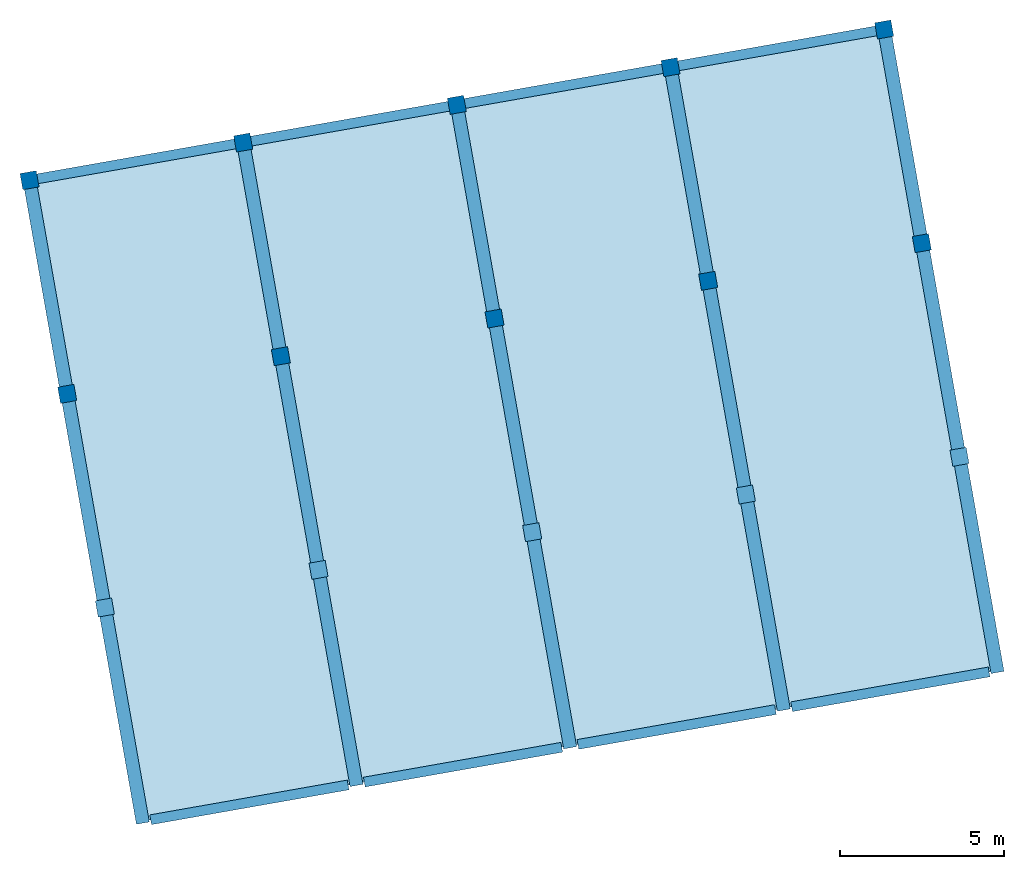
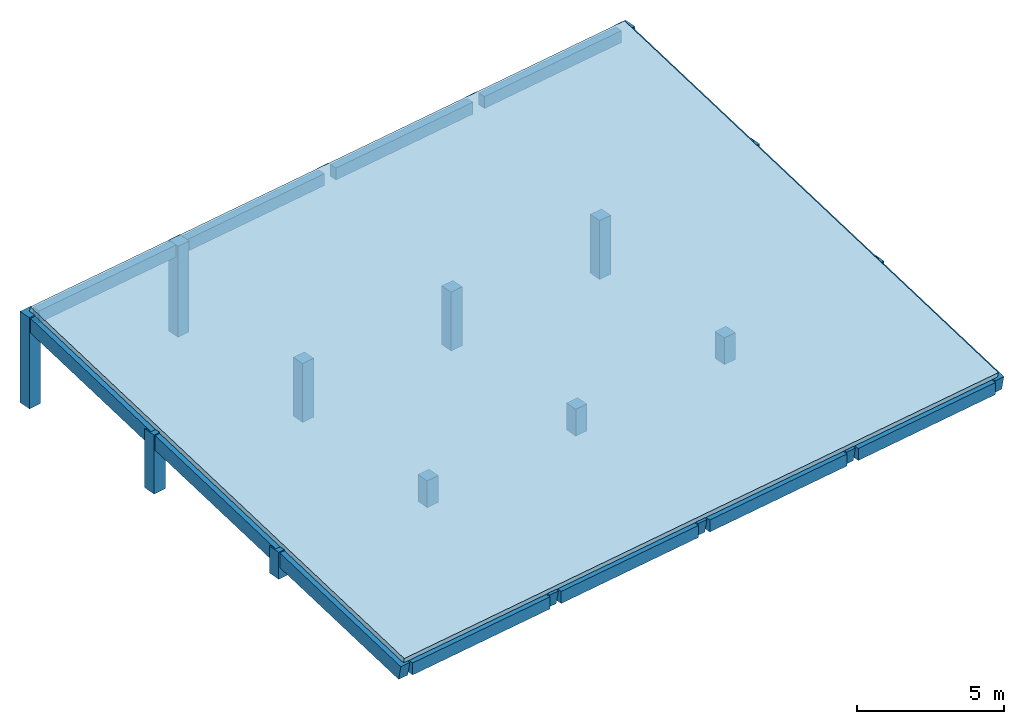
# One storey: 15 columns, 13 beams, 1 slab.
"""IFC4 building model written with IfcOpenShell, lengths in metres."""

import ifcopenshell
import ifcopenshell.guid

model = None  # the IFC model being written
_history = None  # IfcOwnerHistory: only IFC2X3 demands one
_inside = {}  # id of a spatial element -> (the spatial element, [elements in it])
_under = {}  # id of a project, library or spatial element -> (it, [spatial elements below it])
_declared = {}  # id of a project -> (the project, [libraries it declares])
_typed = {}  # id of a type object -> (the type object, [elements of that type])
_made_of = {}  # id of a material, layer set ... -> (it, [elements and type objects made of it])


def new_model(schema):
    """Start an empty IFC model of exactly this schema.

    Asked for "IFC4X3", IfcOpenShell would pick the latest addendum, in which some entities
    have other attributes; the version numbers below select the first issue.
    IFC2X3 requires an IfcOwnerHistory on every rooted entity: one is made here for all.
    """
    global model, _history
    if schema == "IFC4X3":
        model = ifcopenshell.file(schema_version=(4, 3, 0, 0))
    else:
        model = ifcopenshell.file(schema=schema)
    _inside.clear()
    _under.clear()
    _declared.clear()
    _typed.clear()
    _made_of.clear()
    _history = None
    if model.schema == "IFC2X3":
        org = make("IfcOrganization", Name="unknown")
        user = make(
            "IfcPersonAndOrganization",
            ThePerson=make("IfcPerson", FamilyName="unknown"),
            TheOrganization=org,
        )
        app = make(
            "IfcApplication",
            ApplicationDeveloper=org,
            Version="unknown",
            ApplicationFullName="unknown",
            ApplicationIdentifier="unknown",
        )
        _history = make(
            "IfcOwnerHistory",
            OwningUser=user,
            OwningApplication=app,
            ChangeAction="ADDED",
            CreationDate=0,
        )
    return model


def make(cls, **values):
    """One entity of the class cls with the attributes given. An attribute that is None is left unset."""
    return model.create_entity(
        cls, **{name: value for name, value in values.items() if value is not None}
    )


def rooted(cls, **values):
    """An entity with a GlobalId (a new one), such as an element, a storey or a relation."""
    return make(cls, GlobalId=ifcopenshell.guid.new(), OwnerHistory=_history, **values)


def si_unit(unit_type, name, prefix=None):
    """IfcSIUnit, for example si_unit("LENGTHUNIT", "METRE", prefix="MILLI")."""
    return make("IfcSIUnit", UnitType=unit_type, Prefix=prefix, Name=name)


def assignment(units):
    """IfcUnitAssignment: the units of a project."""
    return None if units is None else make("IfcUnitAssignment", Units=units)


def point(xyz):
    """IfcCartesianPoint."""
    return None if xyz is None else make("IfcCartesianPoint", Coordinates=xyz)


def direction(xyz):
    """IfcDirection."""
    return None if xyz is None else make("IfcDirection", DirectionRatios=xyz)


def frame(location, z_axis=None, x_axis=None):
    """IfcAxis2Placement3D, a coordinate frame: its origin and axes. An axis left out is left unset."""
    return make(
        "IfcAxis2Placement3D",
        Location=point(location),
        Axis=direction(z_axis),
        RefDirection=direction(x_axis),
    )


def frame_2d(location, x_axis=None):
    """IfcAxis2Placement2D, a coordinate frame in the plane: its origin and x axis."""
    return make(
        "IfcAxis2Placement2D", Location=point(location), RefDirection=direction(x_axis)
    )


def origin():
    """The frame at (0, 0, 0) with its axes left unset."""
    return frame((0.0, 0.0, 0.0))


def origin_2d():
    """The frame at (0, 0) in the plane with its x axis left unset."""
    return frame_2d((0.0, 0.0))


def place(relative_to, where):
    """IfcLocalPlacement: puts the frame where relative to a parent placement (None: the world)."""
    return make(
        "IfcLocalPlacement", PlacementRelTo=relative_to, RelativePlacement=where
    )


def context(
    kind, dimensions, precision=None, world=None, true_north=None, identifier=None
):
    """IfcGeometricRepresentationContext, for example the 3D "Model" context."""
    return make(
        "IfcGeometricRepresentationContext",
        ContextIdentifier=identifier,
        ContextType=kind,
        CoordinateSpaceDimension=dimensions,
        Precision=precision,
        WorldCoordinateSystem=world,
        TrueNorth=true_north,
    )


def subcontext(parent, identifier, kind, view, scale=None):
    """IfcGeometricRepresentationSubContext, for example "Body" below "Model"."""
    return make(
        "IfcGeometricRepresentationSubContext",
        ContextIdentifier=identifier,
        ContextType=kind,
        ParentContext=parent,
        TargetScale=scale,
        TargetView=view,
    )


def project(units=None, contexts=None):
    """IfcProject with its units and contexts."""
    return rooted(
        "IfcProject",
        Name="project",
        RepresentationContexts=contexts,
        UnitsInContext=assignment(units),
    )


def spatial(cls, under=None, at=None, **own):
    """A site, building, storey or space (cls), placed at a placement, below another one or the project."""
    s = rooted(cls, ObjectPlacement=at, **own)
    if under is not None:
        _under.setdefault(under.id(), (under, []))[1].append(s)
    return s


def polyline(points):
    """IfcPolyline through the points."""
    return make("IfcPolyline", Points=[point(p) for p in points])


def profile(cls, at=None, kind="AREA", **sizes):
    """A parametric profile (cls). Its sizes go by their IFC names, for example OverallWidth=200.0."""
    return make(cls, ProfileType=kind, Position=at, **sizes)


def rectangle(**sizes):
    """IfcRectangleProfileDef."""
    return profile("IfcRectangleProfileDef", **sizes)


def outline(outer, holes=None, kind="AREA"):
    """IfcArbitraryClosedProfileDef: a profile drawn as a closed curve; with holes, ...WithVoids."""
    if holes is None:
        return make("IfcArbitraryClosedProfileDef", ProfileType=kind, OuterCurve=outer)
    return make(
        "IfcArbitraryProfileDefWithVoids",
        ProfileType=kind,
        OuterCurve=outer,
        InnerCurves=holes,
    )


def extrude(swept, where, along, depth):
    """IfcExtrudedAreaSolid: the profile swept, set in the frame where, extruded along a direction by depth."""
    return make(
        "IfcExtrudedAreaSolid",
        SweptArea=swept,
        Position=where,
        ExtrudedDirection=direction(along),
        Depth=depth,
    )


def shape(context_of_items, identifier, shape_type, items):
    """IfcShapeRepresentation: the items that make up one representation, for example the "Body"."""
    return make(
        "IfcShapeRepresentation",
        ContextOfItems=context_of_items,
        RepresentationIdentifier=identifier,
        RepresentationType=shape_type,
        Items=items,
    )


def material(Name=None, Category=None):
    """IfcMaterial."""
    return make("IfcMaterial", Name=Name, Category=Category)


def layer(
    of_material, thickness, ventilated=None, Name=None, Category=None, Priority=None
):
    """IfcMaterialLayer: one layer of a wall or slab, of a material (None: an air gap)."""
    return make(
        "IfcMaterialLayer",
        Material=of_material,
        LayerThickness=thickness,
        IsVentilated=ventilated,
        Name=Name,
        Category=Category,
        Priority=Priority,
    )


def layer_set(layers, Name=None):
    """IfcMaterialLayerSet."""
    return make("IfcMaterialLayerSet", MaterialLayers=layers, LayerSetName=Name)


def material_profile(
    of_material, cross_section, Name=None, Category=None, Priority=None
):
    """IfcMaterialProfile: a cross section and its material."""
    return make(
        "IfcMaterialProfile",
        Name=Name,
        Material=of_material,
        Profile=cross_section,
        Priority=Priority,
        Category=Category,
    )


def profile_set(profiles, Name=None, composite=None):
    """IfcMaterialProfileSet."""
    return make(
        "IfcMaterialProfileSet",
        Name=Name,
        MaterialProfiles=profiles,
        CompositeProfile=composite,
    )


def made_of(thing, what):
    """Note that an element or type object is made of a material, layer set ...; save() writes the relation."""
    if what is not None:
        _made_of.setdefault(what.id(), (what, []))[1].append(thing)
    return thing


def type_object(cls, material=None, **own):
    """A type object (cls), such as IfcWallType, which elements share."""
    return made_of(rooted(cls, **own), material)


def element(
    cls,
    number,
    at=None,
    inside=None,
    cuts=None,
    type_object=None,
    material=None,
    context=None,
    identifier="Body",
    shape_type=None,
    held_by="IfcProductDefinitionShape",
    body=None,
    shapes=None,
    **own,
):
    """One element of the class cls, such as IfcWall. Its Tag is "e" and its number.

    at: its placement. inside: the storey or other place that contains it. cuts: it is an
    opening in that element (IfcRelVoidsElement). A single representation is given by context,
    identifier, shape_type and body (its items); several are given by shapes. held_by: the class
    of the entity that holds the representations. save() writes the other relations.
    """
    e = rooted(cls, Tag="e%d" % number, ObjectPlacement=at, **own)
    if body is not None:
        shapes = [shape(context, identifier, shape_type, body)]
    if shapes is not None:
        e.Representation = make(held_by, Representations=shapes)
    if inside is not None:
        _inside.setdefault(inside.id(), (inside, []))[1].append(e)
    if cuts is not None:
        rooted(
            "IfcRelVoidsElement", RelatingBuildingElement=cuts, RelatedOpeningElement=e
        )
    if type_object is not None:
        _typed.setdefault(type_object.id(), (type_object, []))[1].append(e)
    return made_of(e, material)


def aggregate(whole, parts):
    """IfcRelAggregates: a whole, such as a stair, and the parts it consists of."""
    return rooted("IfcRelAggregates", RelatingObject=whole, RelatedObjects=parts)


def save(model, path):
    """Write the relations noted so far, then the file.

    IfcRelAggregates (storeys below a building ...), IfcRelContainedInSpatialStructure (elements
    in a storey), IfcRelDefinesByType, IfcRelAssociatesMaterial and IfcRelDeclares: one each for
    every whole, place, type object, material and project.
    """
    for whole, parts in _under.values():
        aggregate(whole, parts)
    for where, things in _inside.values():
        rooted(
            "IfcRelContainedInSpatialStructure",
            RelatedElements=things,
            RelatingStructure=where,
        )
    for kind, things in _typed.values():
        rooted("IfcRelDefinesByType", RelatedObjects=things, RelatingType=kind)
    for what, things in _made_of.values():
        rooted("IfcRelAssociatesMaterial", RelatedObjects=things, RelatingMaterial=what)
    for by, libraries in _declared.values():
        rooted("IfcRelDeclares", RelatingContext=by, RelatedDefinitions=libraries)
    model.write(path)


model = new_model("IFC4")

# Units and contexts
model_context = context("Model", 3, precision=1e-05, world=origin(), true_north=direction((0.0, 1.0)))
body_context = subcontext(model_context, "Body", "Model", "MODEL_VIEW")
ifc_project = project(units=[si_unit("LENGTHUNIT", "METRE"), si_unit("AREAUNIT", "SQUARE_METRE"), si_unit("VOLUMEUNIT", "CUBIC_METRE"), si_unit("PLANEANGLEUNIT", "RADIAN"), si_unit("MASSUNIT", "GRAM", prefix="KILO")], contexts=[model_context])

# Site, building, storey
site_placement = place(None, origin())
site = spatial("IfcSite", under=ifc_project, at=site_placement, CompositionType="ELEMENT")
building_placement = place(site_placement, origin())
building = spatial("IfcBuilding", under=site, at=building_placement, Name="Kharisveld Research Institute", CompositionType="ELEMENT")
storey_placement = place(building_placement, frame((0.0, 0.0, 53.39990234375)))
storey = spatial("IfcBuildingStorey", under=building, at=storey_placement, Name="RF", CompositionType="ELEMENT", Elevation=53.39990234375)

# Columns
ifc_material_1 = material(Name="Concrete C40/50", Category="concrete")
ifc_material_profile_1 = material_profile(ifc_material_1, rectangle(XDim=0.5, YDim=0.5, at=origin_2d()))
ifc_profile_set_1 = profile_set([ifc_material_profile_1], Name="Concrete C40/50")
column_type = type_object("IfcColumnType", Name="COL_RC_500", PredefinedType="COLUMN", material=ifc_profile_set_1)
column_1_placement = place(storey_placement, frame((4.053955078125, 41.509765625, 0.0), z_axis=(0.0, 0.0, 1.0), x_axis=(0.984807753012, 0.173648177667, 0.0)))
element("IfcColumn", 1, at=column_1_placement, inside=storey, type_object=column_type, Name="COL:V1:RF:U0V1", PredefinedType="COLUMN", context=body_context, shape_type="SweptSolid", body=[
    extrude(rectangle(XDim=0.5, YDim=0.5, at=origin_2d()), origin(), (0.0, 0.0, 1.0), 1.118408203125),
])
column_2_placement = place(storey_placement, frame((2.907958984375, 48.009521484375, 0.0), z_axis=(0.0, 0.0, 1.0), x_axis=(0.984807753012, 0.173648177667, 0.0)))
element("IfcColumn", 2, at=column_2_placement, inside=storey, type_object=column_type, Name="COL:V1:RF:U0V2", PredefinedType="COLUMN", context=body_context, shape_type="SweptSolid", body=[
    extrude(rectangle(XDim=0.5, YDim=0.5, at=origin_2d()), origin(), (0.0, 0.0, 1.0), 2.45166015625),
])
column_3_placement = place(storey_placement, frame((1.76171875, 54.50927734375, 0.0), z_axis=(0.0, 0.0, 1.0), x_axis=(0.984807753012, 0.173648177667, 0.0)))
element("IfcColumn", 3, at=column_3_placement, inside=storey, type_object=column_type, Name="COL:V1:RF:U0V3", PredefinedType="COLUMN", context=body_context, shape_type="SweptSolid", body=[
    extrude(rectangle(XDim=0.5, YDim=0.5, at=origin_2d()), origin(), (0.0, 0.0, 1.0), 3.78515625),
])
column_4_placement = place(storey_placement, frame((10.5537109375, 42.65576171875, 0.0), z_axis=(0.0, 0.0, 1.0), x_axis=(0.984807753012, 0.173648177667, 0.0)))
element("IfcColumn", 4, at=column_4_placement, inside=storey, type_object=column_type, Name="COL:V1:RF:U1V1", PredefinedType="COLUMN", context=body_context, shape_type="SweptSolid", body=[
    extrude(rectangle(XDim=0.5, YDim=0.5, at=origin_2d()), origin(), (0.0, 0.0, 1.0), 1.118408203125),
])
column_5_placement = place(storey_placement, frame((9.407470703125, 49.155517578125, 0.0), z_axis=(0.0, 0.0, 1.0), x_axis=(0.984807753012, 0.173648177667, 0.0)))
element("IfcColumn", 5, at=column_5_placement, inside=storey, type_object=column_type, Name="COL:V1:RF:U1V2", PredefinedType="COLUMN", context=body_context, shape_type="SweptSolid", body=[
    extrude(rectangle(XDim=0.5, YDim=0.5, at=origin_2d()), origin(), (0.0, 0.0, 1.0), 2.45166015625),
])
column_6_placement = place(storey_placement, frame((8.261474609375, 55.6552734375, 0.0), z_axis=(0.0, 0.0, 1.0), x_axis=(0.984807753012, 0.173648177667, 0.0)))
element("IfcColumn", 6, at=column_6_placement, inside=storey, type_object=column_type, Name="COL:V1:RF:U1V3", PredefinedType="COLUMN", context=body_context, shape_type="SweptSolid", body=[
    extrude(rectangle(XDim=0.5, YDim=0.5, at=origin_2d()), origin(), (0.0, 0.0, 1.0), 3.78515625),
])
column_7_placement = place(storey_placement, frame((17.053466796875, 43.802001953125, 0.0), z_axis=(0.0, 0.0, 1.0), x_axis=(0.984807753012, 0.173648177667, 0.0)))
element("IfcColumn", 7, at=column_7_placement, inside=storey, type_object=column_type, Name="COL:V1:RF:U2V1", PredefinedType="COLUMN", context=body_context, shape_type="SweptSolid", body=[
    extrude(rectangle(XDim=0.5, YDim=0.5, at=origin_2d()), origin(), (0.0, 0.0, 1.0), 1.118408203125),
])
column_8_placement = place(storey_placement, frame((15.9072265625, 50.301513671875, 0.0), z_axis=(0.0, 0.0, 1.0), x_axis=(0.984807753012, 0.173648177667, 0.0)))
element("IfcColumn", 8, at=column_8_placement, inside=storey, type_object=column_type, Name="COL:V1:RF:U2V2", PredefinedType="COLUMN", context=body_context, shape_type="SweptSolid", body=[
    extrude(rectangle(XDim=0.5, YDim=0.5, at=origin_2d()), origin(), (0.0, 0.0, 1.0), 2.45166015625),
])
column_9_placement = place(storey_placement, frame((14.76123046875, 56.80126953125, 0.0), z_axis=(0.0, 0.0, 1.0), x_axis=(0.984807753012, 0.173648177667, 0.0)))
element("IfcColumn", 9, at=column_9_placement, inside=storey, type_object=column_type, Name="COL:V1:RF:U2V3", PredefinedType="COLUMN", context=body_context, shape_type="SweptSolid", body=[
    extrude(rectangle(XDim=0.5, YDim=0.5, at=origin_2d()), origin(), (0.0, 0.0, 1.0), 3.78515625),
])
column_10_placement = place(storey_placement, frame((23.55322265625, 44.947998046875, 0.0), z_axis=(0.0, 0.0, 1.0), x_axis=(0.984807753012, 0.173648177667, 0.0)))
element("IfcColumn", 10, at=column_10_placement, inside=storey, type_object=column_type, Name="COL:V1:RF:U3V1", PredefinedType="COLUMN", context=body_context, shape_type="SweptSolid", body=[
    extrude(rectangle(XDim=0.5, YDim=0.5, at=origin_2d()), origin(), (0.0, 0.0, 1.0), 1.118408203125),
])
column_11_placement = place(storey_placement, frame((22.406982421875, 51.44775390625, 0.0), z_axis=(0.0, 0.0, 1.0), x_axis=(0.984807753012, 0.173648177667, 0.0)))
element("IfcColumn", 11, at=column_11_placement, inside=storey, type_object=column_type, Name="COL:V1:RF:U3V2", PredefinedType="COLUMN", context=body_context, shape_type="SweptSolid", body=[
    extrude(rectangle(XDim=0.5, YDim=0.5, at=origin_2d()), origin(), (0.0, 0.0, 1.0), 2.45166015625),
])
column_12_placement = place(storey_placement, frame((21.260986328125, 57.947509765625, 0.0), z_axis=(0.0, 0.0, 1.0), x_axis=(0.984807753012, 0.173648177667, 0.0)))
element("IfcColumn", 12, at=column_12_placement, inside=storey, type_object=column_type, Name="COL:V1:RF:U3V3", PredefinedType="COLUMN", context=body_context, shape_type="SweptSolid", body=[
    extrude(rectangle(XDim=0.5, YDim=0.5, at=origin_2d()), origin(), (0.0, 0.0, 1.0), 3.78515625),
])
column_13_placement = place(storey_placement, frame((30.052734375, 46.093994140625, 0.0), z_axis=(0.0, 0.0, 1.0), x_axis=(0.984807753012, 0.173648177667, 0.0)))
element("IfcColumn", 13, at=column_13_placement, inside=storey, type_object=column_type, Name="COL:V1:RF:U4V1", PredefinedType="COLUMN", context=body_context, shape_type="SweptSolid", body=[
    extrude(rectangle(XDim=0.5, YDim=0.5, at=origin_2d()), origin(), (0.0, 0.0, 1.0), 1.118408203125),
])
column_14_placement = place(storey_placement, frame((28.90673828125, 52.59375, 0.0), z_axis=(0.0, 0.0, 1.0), x_axis=(0.984807753012, 0.173648177667, 0.0)))
element("IfcColumn", 14, at=column_14_placement, inside=storey, type_object=column_type, Name="COL:V1:RF:U4V2", PredefinedType="COLUMN", context=body_context, shape_type="SweptSolid", body=[
    extrude(rectangle(XDim=0.5, YDim=0.5, at=origin_2d()), origin(), (0.0, 0.0, 1.0), 2.45166015625),
])
column_15_placement = place(storey_placement, frame((27.7607421875, 59.093505859375, 0.0), z_axis=(0.0, 0.0, 1.0), x_axis=(0.984807753012, 0.173648177667, 0.0)))
element("IfcColumn", 15, at=column_15_placement, inside=storey, type_object=column_type, Name="COL:V1:RF:U4V3", PredefinedType="COLUMN", context=body_context, shape_type="SweptSolid", body=[
    extrude(rectangle(XDim=0.5, YDim=0.5, at=origin_2d()), origin(), (0.0, 0.0, 1.0), 3.78515625),
])

# Beams
ifc_material_2 = material(Name="Concrete C40/50", Category="concrete")
ifc_material_profile_2 = material_profile(ifc_material_2, rectangle(XDim=0.39990234375, YDim=0.60009765625, at=origin_2d()))
ifc_profile_set_2 = profile_set([ifc_material_profile_2], Name="Concrete C40/50")
beam_type_1 = type_object("IfcBeamType", Name="BM_RC_400x600", PredefinedType="BEAM", material=ifc_profile_set_2)
for number, where, z_axis, x_axis, name in (
    (16, (5.199951171875, 35.010009765625, -0.514892578125), (-0.170208925519, 0.965306871566, 0.198019103579), (-0.984807878732, -0.173647464676, 0.0), "BM:V1:RF:RAFTER_0"),
    (17, (11.69970703125, 36.156005859375, -0.514892578125), (-0.170208925519, 0.965306871566, 0.198019103579), (-0.984807878732, -0.173647464676, 0.0), "BM:V1:RF:RAFTER_1"),
    (18, (18.199462890625, 37.30224609375, -0.514892578125), (-0.170210911338, 0.965306047487, 0.198021413858), (-0.984807506924, -0.173649573296, 0.0), "BM:V1:RF:RAFTER_2"),
    (19, (24.69921875, 38.4482421875, -0.514892578125), (-0.170208925519, 0.965306871566, 0.198019103579), (-0.984807878732, -0.173647464676, 0.0), "BM:V1:RF:RAFTER_3"),
    (20, (31.198974609375, 39.59423828125, -0.514892578125), (-0.170208925519, 0.965306871566, 0.198019103579), (-0.984807878732, -0.173647464676, 0.0), "BM:V1:RF:RAFTER_4"),
):
    element("IfcBeam", number, at=place(storey_placement, frame(where, z_axis=z_axis, x_axis=x_axis)), inside=storey, type_object=beam_type_1, Name=name, PredefinedType="BEAM", context=body_context, shape_type="SweptSolid", body=[
        extrude(rectangle(XDim=0.39990234375, YDim=0.60009765625, at=origin_2d()), origin(), (0.0, 0.0, 1.0), 20.199951171875),
    ])
ifc_material_3 = material(Name="Concrete C40/50", Category="concrete")
ifc_material_profile_3 = material_profile(ifc_material_3, rectangle(XDim=0.300048828125, YDim=0.5, at=origin_2d()))
ifc_profile_set_3 = profile_set([ifc_material_profile_3], Name="Concrete C40/50")
beam_type_2 = type_object("IfcBeamType", Name="SP_RC_300x500", PredefinedType="SPANDREL", material=ifc_profile_set_3)
beam_1_placement = place(storey_placement, frame((5.4462890625, 35.053466796875, -0.46484375), z_axis=(0.984812555252, 0.173620940611, 0.0), x_axis=(-0.173620940611, 0.984812555252, 0.0)))
element("IfcBeam", 21, at=beam_1_placement, inside=storey, type_object=beam_type_2, Name="BM:V1:RF:EDGE_0_0", PredefinedType="SPANDREL", context=body_context, shape_type="SweptSolid", body=[
    extrude(rectangle(XDim=0.300048828125, YDim=0.5, at=origin_2d()), origin(), (0.0, 0.0, 1.0), 6.099853515625),
])
for number, where, z_axis, x_axis, name in (
    (22, (11.946044921875, 36.199462890625, -0.46484375), (0.984805711192, 0.173659757005, 0.0), (-0.173659757005, 0.984805711192, 0.0), "BM:V1:RF:EDGE_0_1"),
    (23, (18.445556640625, 37.345458984375, -0.46484375), (0.984805711192, 0.173659757005, 0.0), (-0.173659757005, 0.984805711192, 0.0), "BM:V1:RF:EDGE_0_2"),
):
    element("IfcBeam", number, at=place(storey_placement, frame(where, z_axis=z_axis, x_axis=x_axis)), inside=storey, type_object=beam_type_2, Name=name, PredefinedType="SPANDREL", context=body_context, shape_type="SweptSolid", body=[
        extrude(rectangle(XDim=0.300048828125, YDim=0.5, at=origin_2d()), origin(), (0.0, 0.0, 1.0), 6.10009765625),
    ])
beam_2_placement = place(storey_placement, frame((24.9453125, 38.49169921875, -0.46484375), z_axis=(0.984812555252, 0.173620940611, 0.0), x_axis=(-0.173620940611, 0.984812555252, 0.0)))
element("IfcBeam", 24, at=beam_2_placement, inside=storey, type_object=beam_type_2, Name="BM:V1:RF:EDGE_0_3", PredefinedType="SPANDREL", context=body_context, shape_type="SweptSolid", body=[
    extrude(rectangle(XDim=0.300048828125, YDim=0.5, at=origin_2d()), origin(), (0.0, 0.0, 1.0), 6.099853515625),
])
for number, where, z_axis, x_axis, name in (
    (25, (2.008056640625, 54.552490234375, 3.53515625), (0.984805711192, 0.173659757005, 0.0), (-0.173659757005, 0.984805711192, 0.0), "BM:V1:RF:EDGE_3_0"),
    (26, (8.5078125, 55.69873046875, 3.53515625), (0.984805711192, 0.173659757005, 0.0), (-0.173659757005, 0.984805711192, 0.0), "BM:V1:RF:EDGE_3_1"),
    (27, (15.00732421875, 56.8447265625, 3.53515625), (0.984805711192, 0.173659757005, 0.0), (-0.173659757005, 0.984805711192, 0.0), "BM:V1:RF:EDGE_3_2"),
    (28, (21.507080078125, 57.99072265625, 3.53515625), (0.984805711192, 0.173659757005, 0.0), (-0.173659757005, 0.984805711192, 0.0), "BM:V1:RF:EDGE_3_3"),
):
    element("IfcBeam", number, at=place(storey_placement, frame(where, z_axis=z_axis, x_axis=x_axis)), inside=storey, type_object=beam_type_2, Name=name, PredefinedType="SPANDREL", context=body_context, shape_type="SweptSolid", body=[
        extrude(rectangle(XDim=0.300048828125, YDim=0.5, at=origin_2d()), origin(), (0.0, 0.0, 1.0), 6.10009765625),
    ])

# Slab
ifc_material_4 = material(Name="Concrete C40/50", Category="concrete")
ifc_layer = layer(ifc_material_4, 0.215087890625)
ifc_layer_set = layer_set([ifc_layer], Name="SL_ROOF_215")
slab_type = type_object("IfcSlabType", Name="SL_ROOF_215", PredefinedType="ROOF", material=ifc_layer_set)
slab_placement = place(storey_placement, frame((5.199951171875, 35.010009765625, 0.0), z_axis=(0.034384923291, -0.195010877729, 0.980198160893), x_axis=(0.984808405876, 0.173644475051, 0.0)))
element("IfcSlab", 29, at=slab_placement, inside=storey, type_object=slab_type, Name="SLAB:V1:RF:ROOF_SLOPE", PredefinedType="ROOF", context=body_context, shape_type="SweptSolid", body=[
    extrude(outline(polyline([(0.0, 0.0), (26.400082779929757, 8.881784197001252e-16), (26.400022671994833, 20.20007124409556), (-6.010793492894351e-05, 20.20007124409556), (0.0, 0.0)])), origin(), (0.0, 0.0, -1.0), 0.215087890625),
])

save(model, "model.ifc")
